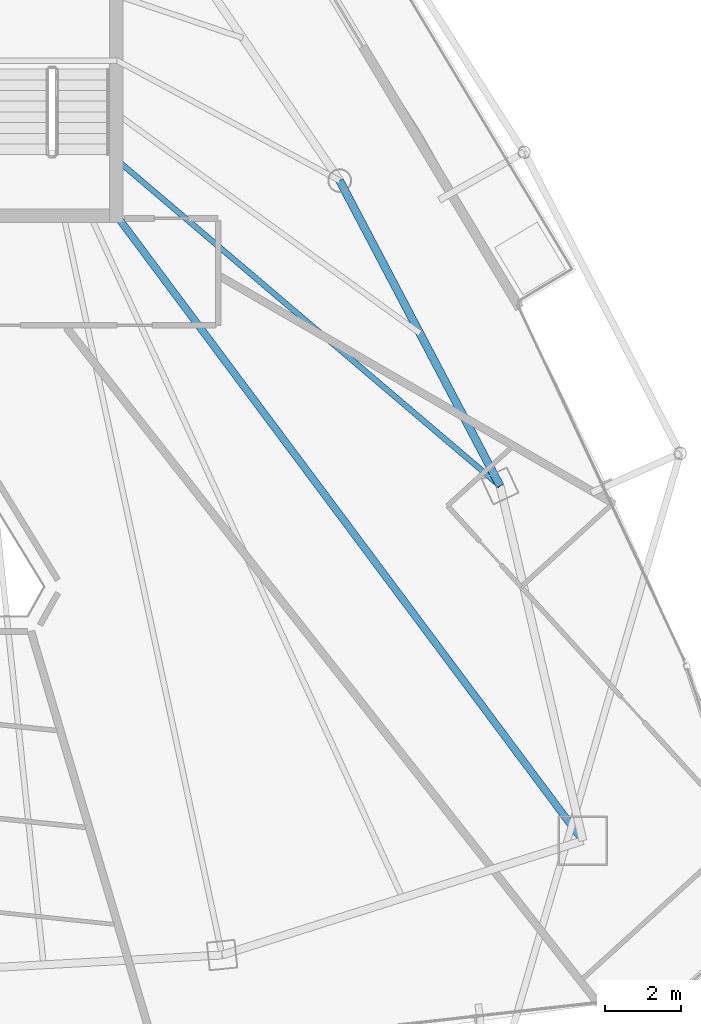
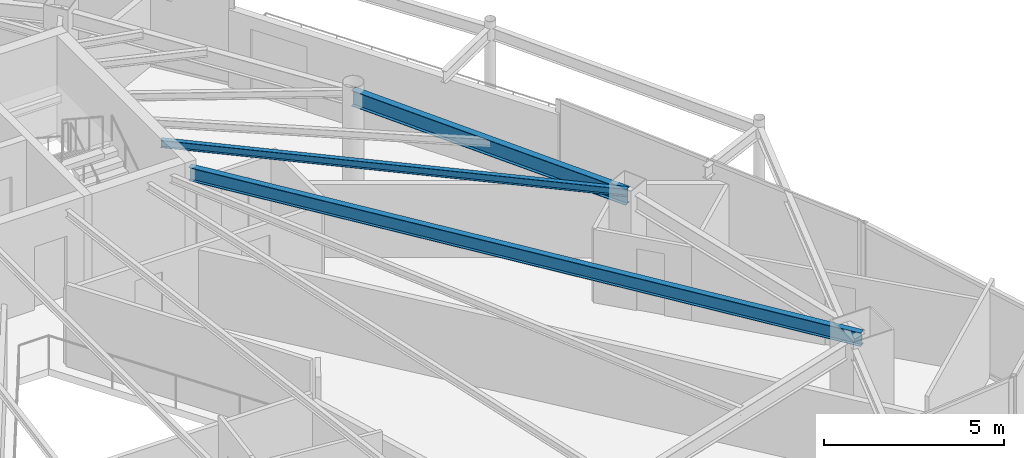
# One storey, part 19 of 34: 3 beams.
"""IFC4 building model written with IfcOpenShell, lengths in metres."""

import ifcopenshell
import ifcopenshell.guid

model = None  # the IFC model being written
_history = None  # IfcOwnerHistory: only IFC2X3 demands one
_inside = {}  # id of a spatial element -> (the spatial element, [elements in it])
_under = {}  # id of a project, library or spatial element -> (it, [spatial elements below it])
_declared = {}  # id of a project -> (the project, [libraries it declares])
_typed = {}  # id of a type object -> (the type object, [elements of that type])
_made_of = {}  # id of a material, layer set ... -> (it, [elements and type objects made of it])


def new_model(schema):
    """Start an empty IFC model of exactly this schema.

    Asked for "IFC4X3", IfcOpenShell would pick the latest addendum, in which some entities
    have other attributes; the version numbers below select the first issue.
    IFC2X3 requires an IfcOwnerHistory on every rooted entity: one is made here for all.
    """
    global model, _history
    if schema == "IFC4X3":
        model = ifcopenshell.file(schema_version=(4, 3, 0, 0))
    else:
        model = ifcopenshell.file(schema=schema)
    _inside.clear()
    _under.clear()
    _declared.clear()
    _typed.clear()
    _made_of.clear()
    _history = None
    if model.schema == "IFC2X3":
        org = make("IfcOrganization", Name="unknown")
        user = make(
            "IfcPersonAndOrganization",
            ThePerson=make("IfcPerson", FamilyName="unknown"),
            TheOrganization=org,
        )
        app = make(
            "IfcApplication",
            ApplicationDeveloper=org,
            Version="unknown",
            ApplicationFullName="unknown",
            ApplicationIdentifier="unknown",
        )
        _history = make(
            "IfcOwnerHistory",
            OwningUser=user,
            OwningApplication=app,
            ChangeAction="ADDED",
            CreationDate=0,
        )
    return model


def make(cls, **values):
    """One entity of the class cls with the attributes given. An attribute that is None is left unset."""
    return model.create_entity(
        cls, **{name: value for name, value in values.items() if value is not None}
    )


def rooted(cls, **values):
    """An entity with a GlobalId (a new one), such as an element, a storey or a relation."""
    return make(cls, GlobalId=ifcopenshell.guid.new(), OwnerHistory=_history, **values)


def si_unit(unit_type, name, prefix=None):
    """IfcSIUnit, for example si_unit("LENGTHUNIT", "METRE", prefix="MILLI")."""
    return make("IfcSIUnit", UnitType=unit_type, Prefix=prefix, Name=name)


def assignment(units):
    """IfcUnitAssignment: the units of a project."""
    return None if units is None else make("IfcUnitAssignment", Units=units)


def point(xyz):
    """IfcCartesianPoint."""
    return None if xyz is None else make("IfcCartesianPoint", Coordinates=xyz)


def direction(xyz):
    """IfcDirection."""
    return None if xyz is None else make("IfcDirection", DirectionRatios=xyz)


def frame(location, z_axis=None, x_axis=None):
    """IfcAxis2Placement3D, a coordinate frame: its origin and axes. An axis left out is left unset."""
    return make(
        "IfcAxis2Placement3D",
        Location=point(location),
        Axis=direction(z_axis),
        RefDirection=direction(x_axis),
    )


def frame_2d(location, x_axis=None):
    """IfcAxis2Placement2D, a coordinate frame in the plane: its origin and x axis."""
    return make(
        "IfcAxis2Placement2D", Location=point(location), RefDirection=direction(x_axis)
    )


def origin():
    """The frame at (0, 0, 0) with its axes left unset."""
    return frame((0.0, 0.0, 0.0))


def origin_2d():
    """The frame at (0, 0) in the plane with its x axis left unset."""
    return frame_2d((0.0, 0.0))


def place(relative_to, where):
    """IfcLocalPlacement: puts the frame where relative to a parent placement (None: the world)."""
    return make(
        "IfcLocalPlacement", PlacementRelTo=relative_to, RelativePlacement=where
    )


def context(
    kind, dimensions, precision=None, world=None, true_north=None, identifier=None
):
    """IfcGeometricRepresentationContext, for example the 3D "Model" context."""
    return make(
        "IfcGeometricRepresentationContext",
        ContextIdentifier=identifier,
        ContextType=kind,
        CoordinateSpaceDimension=dimensions,
        Precision=precision,
        WorldCoordinateSystem=world,
        TrueNorth=true_north,
    )


def subcontext(parent, identifier, kind, view, scale=None):
    """IfcGeometricRepresentationSubContext, for example "Body" below "Model"."""
    return make(
        "IfcGeometricRepresentationSubContext",
        ContextIdentifier=identifier,
        ContextType=kind,
        ParentContext=parent,
        TargetScale=scale,
        TargetView=view,
    )


def project(units=None, contexts=None):
    """IfcProject with its units and contexts."""
    return rooted(
        "IfcProject",
        Name="project",
        RepresentationContexts=contexts,
        UnitsInContext=assignment(units),
    )


def spatial(cls, under=None, at=None, **own):
    """A site, building, storey or space (cls), placed at a placement, below another one or the project."""
    s = rooted(cls, ObjectPlacement=at, **own)
    if under is not None:
        _under.setdefault(under.id(), (under, []))[1].append(s)
    return s


def profile(cls, at=None, kind="AREA", **sizes):
    """A parametric profile (cls). Its sizes go by their IFC names, for example OverallWidth=200.0."""
    return make(cls, ProfileType=kind, Position=at, **sizes)


def i_section(**sizes):
    """IfcIShapeProfileDef."""
    return profile("IfcIShapeProfileDef", **sizes)


def extrude(swept, where, along, depth):
    """IfcExtrudedAreaSolid: the profile swept, set in the frame where, extruded along a direction by depth."""
    return make(
        "IfcExtrudedAreaSolid",
        SweptArea=swept,
        Position=where,
        ExtrudedDirection=direction(along),
        Depth=depth,
    )


def shape(context_of_items, identifier, shape_type, items):
    """IfcShapeRepresentation: the items that make up one representation, for example the "Body"."""
    return make(
        "IfcShapeRepresentation",
        ContextOfItems=context_of_items,
        RepresentationIdentifier=identifier,
        RepresentationType=shape_type,
        Items=items,
    )


def material(Name=None, Category=None):
    """IfcMaterial."""
    return make("IfcMaterial", Name=Name, Category=Category)


def material_profile(
    of_material, cross_section, Name=None, Category=None, Priority=None
):
    """IfcMaterialProfile: a cross section and its material."""
    return make(
        "IfcMaterialProfile",
        Name=Name,
        Material=of_material,
        Profile=cross_section,
        Priority=Priority,
        Category=Category,
    )


def profile_set(profiles, Name=None, composite=None):
    """IfcMaterialProfileSet."""
    return make(
        "IfcMaterialProfileSet",
        Name=Name,
        MaterialProfiles=profiles,
        CompositeProfile=composite,
    )


def made_of(thing, what):
    """Note that an element or type object is made of a material, layer set ...; save() writes the relation."""
    if what is not None:
        _made_of.setdefault(what.id(), (what, []))[1].append(thing)
    return thing


def type_object(cls, material=None, **own):
    """A type object (cls), such as IfcWallType, which elements share."""
    return made_of(rooted(cls, **own), material)


def element(
    cls,
    number,
    at=None,
    inside=None,
    cuts=None,
    type_object=None,
    material=None,
    context=None,
    identifier="Body",
    shape_type=None,
    held_by="IfcProductDefinitionShape",
    body=None,
    shapes=None,
    **own,
):
    """One element of the class cls, such as IfcWall. Its Tag is "e" and its number.

    at: its placement. inside: the storey or other place that contains it. cuts: it is an
    opening in that element (IfcRelVoidsElement). A single representation is given by context,
    identifier, shape_type and body (its items); several are given by shapes. held_by: the class
    of the entity that holds the representations. save() writes the other relations.
    """
    e = rooted(cls, Tag="e%d" % number, ObjectPlacement=at, **own)
    if body is not None:
        shapes = [shape(context, identifier, shape_type, body)]
    if shapes is not None:
        e.Representation = make(held_by, Representations=shapes)
    if inside is not None:
        _inside.setdefault(inside.id(), (inside, []))[1].append(e)
    if cuts is not None:
        rooted(
            "IfcRelVoidsElement", RelatingBuildingElement=cuts, RelatedOpeningElement=e
        )
    if type_object is not None:
        _typed.setdefault(type_object.id(), (type_object, []))[1].append(e)
    return made_of(e, material)


def aggregate(whole, parts):
    """IfcRelAggregates: a whole, such as a stair, and the parts it consists of."""
    return rooted("IfcRelAggregates", RelatingObject=whole, RelatedObjects=parts)


def save(model, path):
    """Write the relations noted so far, then the file.

    IfcRelAggregates (storeys below a building ...), IfcRelContainedInSpatialStructure (elements
    in a storey), IfcRelDefinesByType, IfcRelAssociatesMaterial and IfcRelDeclares: one each for
    every whole, place, type object, material and project.
    """
    for whole, parts in _under.values():
        aggregate(whole, parts)
    for where, things in _inside.values():
        rooted(
            "IfcRelContainedInSpatialStructure",
            RelatedElements=things,
            RelatingStructure=where,
        )
    for kind, things in _typed.values():
        rooted("IfcRelDefinesByType", RelatedObjects=things, RelatingType=kind)
    for what, things in _made_of.values():
        rooted("IfcRelAssociatesMaterial", RelatedObjects=things, RelatingMaterial=what)
    for by, libraries in _declared.values():
        rooted("IfcRelDeclares", RelatingContext=by, RelatedDefinitions=libraries)
    model.write(path)


model = new_model("IFC4")

# Units and contexts
model_context = context("Model", 3, precision=1e-05, world=origin(), true_north=direction((0.0, 1.0)))
body_context = subcontext(model_context, "Body", "Model", "MODEL_VIEW")
ifc_project = project(units=[si_unit("LENGTHUNIT", "METRE"), si_unit("AREAUNIT", "SQUARE_METRE"), si_unit("VOLUMEUNIT", "CUBIC_METRE"), si_unit("PLANEANGLEUNIT", "RADIAN"), si_unit("MASSUNIT", "GRAM", prefix="KILO")], contexts=[model_context])

# Site, building, storey
site_placement = place(None, origin())
site = spatial("IfcSite", under=ifc_project, at=site_placement, CompositionType="ELEMENT")
building_placement = place(site_placement, origin())
building = spatial("IfcBuilding", under=site, at=building_placement, Name="Orvanel Arch Residences", CompositionType="ELEMENT")
storey_placement = place(building_placement, frame((0.0, 0.0, 199.699951171875)))
storey = spatial("IfcBuildingStorey", under=building, at=storey_placement, Name="L56", CompositionType="ELEMENT", Elevation=199.699951171875)

# Beams
ifc_material = material(Name="Structural steel AS/NZS 3679.1 Grade 300 (300 MPa)", Category="steel")
ifc_material_profile_1 = material_profile(ifc_material, i_section(OverallWidth=0.19091796875, OverallDepth=0.4599609375, WebThickness=0.010009765625, FlangeThickness=0.01611328125, at=origin_2d()), Name="460UB82.1")
ifc_profile_set_1 = profile_set([ifc_material_profile_1], Name="Structural steel AS/NZS 3679.1 Grade 300 (300 MPa)")
beam_type_1 = type_object("IfcBeamType", Name="BG-460UB", PredefinedType="BEAM", material=ifc_profile_set_1)
beam_1_placement = place(storey_placement, frame((39.625, 26.675048828125, 2.830078125), z_axis=(0.597893733742, -0.801575375839, 0.0), x_axis=(0.801575375839, 0.597893733742, 0.0)))
element("IfcBeam", 1, at=beam_1_placement, inside=storey, type_object=beam_type_1, Name="L56 South-East Radial Girder", PredefinedType="BEAM", context=body_context, shape_type="SweptSolid", body=[
    extrude(i_section(OverallWidth=0.19091796875, OverallDepth=0.4599609375, WebThickness=0.010009765625, FlangeThickness=0.01611328125, at=origin_2d()), origin(), (0.0, 0.0, 1.0), 20.36474609375),
])
ifc_material_profile_2 = material_profile(ifc_material, i_section(OverallWidth=0.14599609375, OverallDepth=0.251953125, WebThickness=0.006103515625, FlangeThickness=0.008544921875, at=origin_2d()), Name="250UB31.4")
ifc_profile_set_2 = profile_set([ifc_material_profile_2], Name="Structural steel AS/NZS 3679.1 Grade 300 (300 MPa)")
beam_type_2 = type_object("IfcBeamType", Name="BJ-250UB", PredefinedType="JOIST", material=ifc_profile_set_2)
beam_2_placement = place(storey_placement, frame((39.574951171875, 28.199951171875, 2.93408203125), z_axis=(0.761622669031, -0.64802076357, 0.0), x_axis=(0.64802076357, 0.761622669031, 0.0)))
element("IfcBeam", 2, at=beam_2_placement, inside=storey, type_object=beam_type_2, Name="L56 E Wing Floor Joist", PredefinedType="JOIST", context=body_context, shape_type="SweptSolid", body=[
    extrude(i_section(OverallWidth=0.14599609375, OverallDepth=0.251953125, WebThickness=0.006103515625, FlangeThickness=0.008544921875, at=origin_2d()), origin(), (0.0, 0.0, 1.0), 13.2060546875),
])
ifc_material_profile_3 = material_profile(ifc_material, i_section(OverallWidth=0.208984375, OverallDepth=0.532958984375, WebThickness=0.01025390625, FlangeThickness=0.015625, at=origin_2d()), Name="530UB92.4")
ifc_profile_set_3 = profile_set([ifc_material_profile_3], Name="Structural steel AS/NZS 3679.1 Grade 300 (300 MPa)")
beam_type_3 = type_object("IfcBeamType", Name="SP-530UB", PredefinedType="SPANDREL", material=ifc_profile_set_3)
beam_3_placement = place(storey_placement, frame((49.633056640625, 19.64208984375, 2.79296875), z_axis=(-0.465064762793, 0.885276660942, 0.0), x_axis=(-0.885276660942, -0.465064762793, 0.0)))
element("IfcBeam", 3, at=beam_3_placement, inside=storey, type_object=beam_type_3, Name="L56 Perimeter Spandrel Beam 07", PredefinedType="SPANDREL", context=body_context, shape_type="SweptSolid", body=[
    extrude(i_section(OverallWidth=0.208984375, OverallDepth=0.532958984375, WebThickness=0.01025390625, FlangeThickness=0.015625, at=origin_2d()), origin(), (0.0, 0.0, 1.0), 9.03564453125),
])

save(model, "model.ifc")
